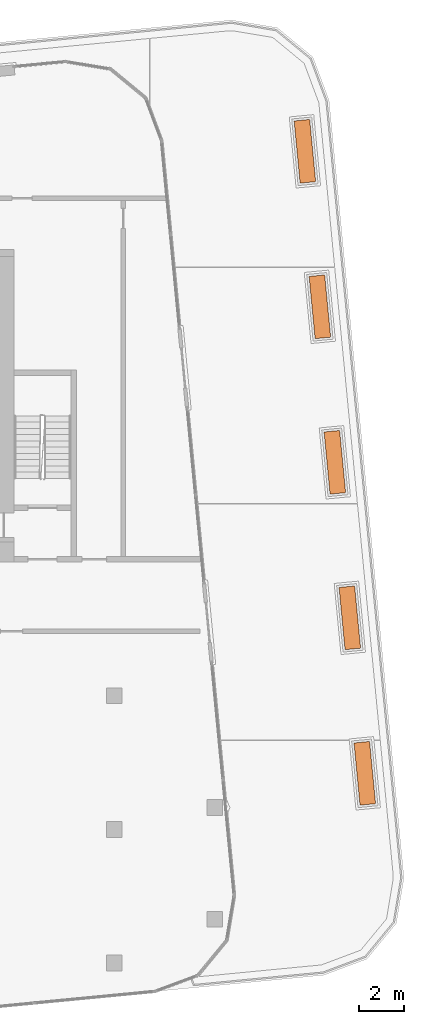
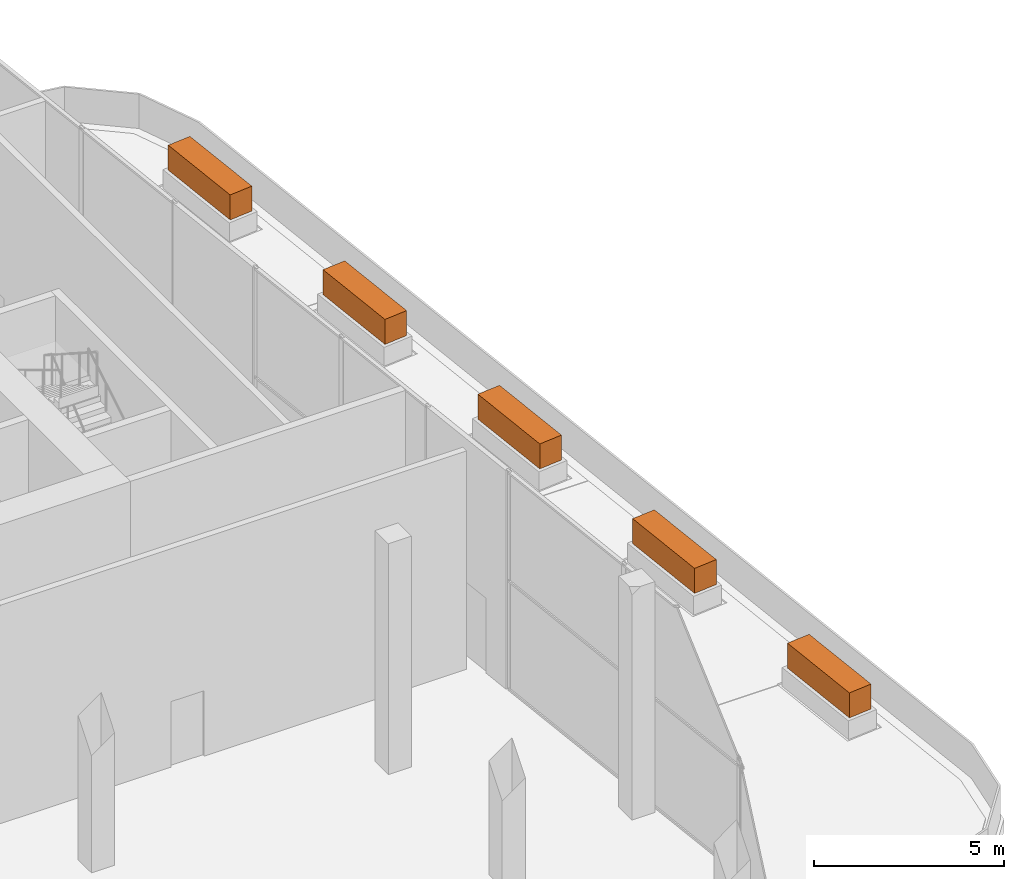
# One storey, part 25 of 25: 5 geographic elements.
"""IFC4 building model written with IfcOpenShell, lengths in metres."""

from ifc_helpers import new_model, si_unit, direction, frame, origin, origin_2d, place, context, subcontext, project, spatial, rectangle, extrude, element, save


model = new_model("IFC4")

# Units and contexts
model_context = context("Model", 3, precision=1e-05, world=origin(), true_north=direction((0.0, 1.0)))
body_context = subcontext(model_context, "Body", "Model", "MODEL_VIEW")
ifc_project = project(units=[si_unit("LENGTHUNIT", "METRE"), si_unit("AREAUNIT", "SQUARE_METRE"), si_unit("VOLUMEUNIT", "CUBIC_METRE"), si_unit("PLANEANGLEUNIT", "RADIAN"), si_unit("MASSUNIT", "GRAM", prefix="KILO")], contexts=[model_context])

# Site, building, storey
site_placement = place(None, origin())
site = spatial("IfcSite", under=ifc_project, at=site_placement, CompositionType="ELEMENT")
building_placement = place(site_placement, origin())
building = spatial("IfcBuilding", under=site, at=building_placement, Name="Kajstack Hotel Tower", CompositionType="ELEMENT")
storey_placement = place(building_placement, frame((0.0, 0.0, 155.0)))
storey = spatial("IfcBuildingStorey", under=building, at=storey_placement, Name="L36", CompositionType="ELEMENT", Elevation=155.0)

# Geographic elements
for number, where, z_axis, x_axis, name in (
    (1, (44.53662109375, 19.903076171875, 0.60009765625), (0.0, 0.0, 1.0), (0.095845891504, -0.995396184985, 0.0), "Planting L36-01-01"),
    (2, (45.20751953125, 12.935302734375, 0.60009765625), (0.0, 0.0, 1.0), (0.095845891504, -0.995396184985, 0.0), "Planting L36-01-02"),
    (3, (45.87841796875, 5.96728515625, 0.60009765625), (0.0, 0.0, 1.0), (0.095845891504, -0.995396184985, 0.0), "Planting L36-01-03"),
    (4, (46.54931640625, -1.00048828125, 0.60009765625), (0.0, 0.0, 1.0), (0.095845891504, -0.995396184985, 0.0), "Planting L36-01-04"),
    (5, (47.22021484375, -7.968017578125, 0.60009765625), (0.0, 0.0, 1.0), (0.095845891504, -0.995396184985, 0.0), "Planting L36-01-05"),
):
    element("IfcGeographicElement", number, at=place(storey_placement, frame(where, z_axis=z_axis, x_axis=x_axis)), inside=storey, Name=name, ObjectType="PLANTING", PredefinedType="USERDEFINED", context=body_context, shape_type="SweptSolid", body=[
        extrude(rectangle(XDim=2.800048828125, YDim=0.699951171875, at=origin_2d()), origin(), (0.0, 0.0, 1.0), 0.800048828125),
    ])

save(model, "model.ifc")
